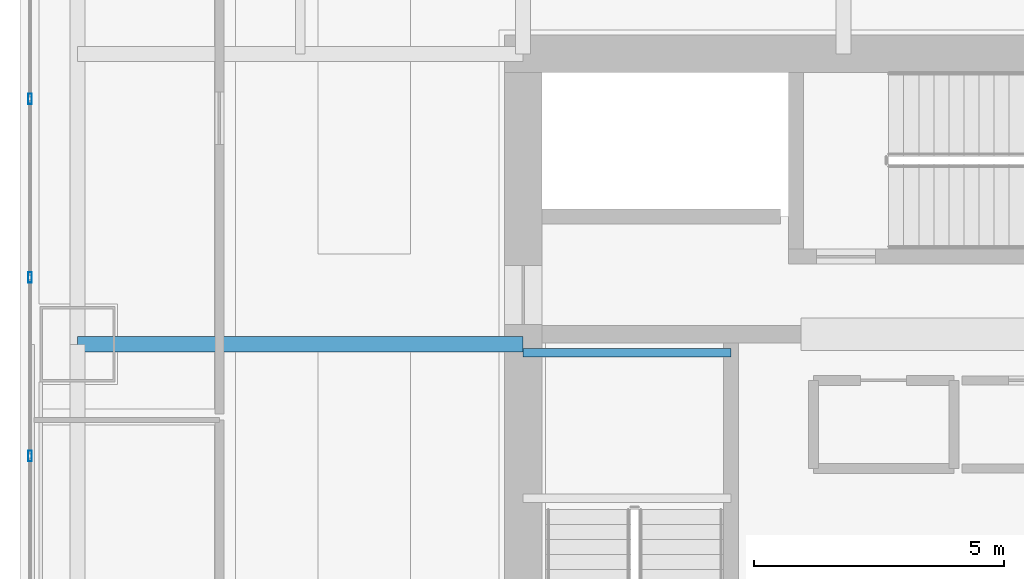
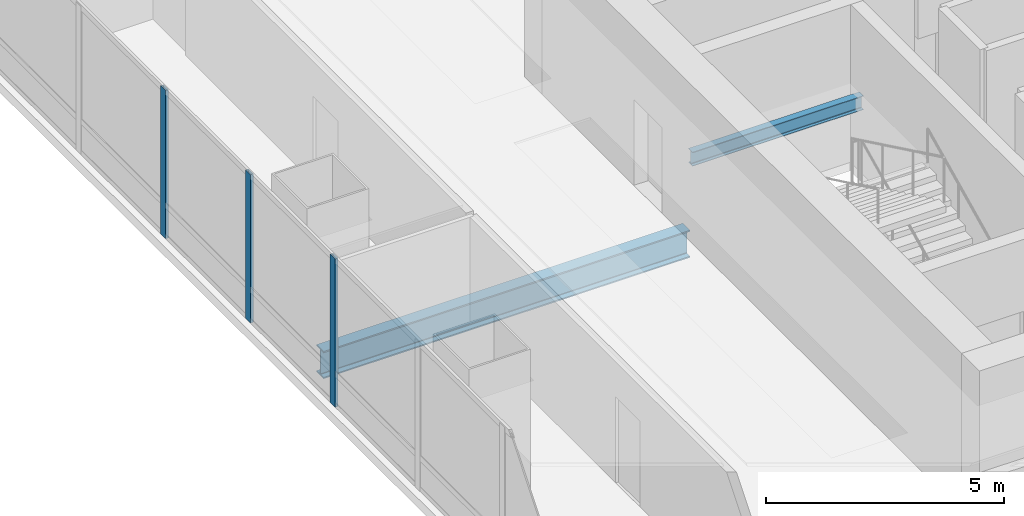
# One storey, part 10 of 34: 3 members, 2 beams, 1 element without a shape of its own.
"""IFC4 building model written with IfcOpenShell, lengths in metres."""

import ifcopenshell
import ifcopenshell.guid

model = None  # the IFC model being written
_history = None  # IfcOwnerHistory: only IFC2X3 demands one
_inside = {}  # id of a spatial element -> (the spatial element, [elements in it])
_under = {}  # id of a project, library or spatial element -> (it, [spatial elements below it])
_declared = {}  # id of a project -> (the project, [libraries it declares])
_typed = {}  # id of a type object -> (the type object, [elements of that type])
_made_of = {}  # id of a material, layer set ... -> (it, [elements and type objects made of it])


def new_model(schema):
    """Start an empty IFC model of exactly this schema.

    Asked for "IFC4X3", IfcOpenShell would pick the latest addendum, in which some entities
    have other attributes; the version numbers below select the first issue.
    IFC2X3 requires an IfcOwnerHistory on every rooted entity: one is made here for all.
    """
    global model, _history
    if schema == "IFC4X3":
        model = ifcopenshell.file(schema_version=(4, 3, 0, 0))
    else:
        model = ifcopenshell.file(schema=schema)
    _inside.clear()
    _under.clear()
    _declared.clear()
    _typed.clear()
    _made_of.clear()
    _history = None
    if model.schema == "IFC2X3":
        org = make("IfcOrganization", Name="unknown")
        user = make(
            "IfcPersonAndOrganization",
            ThePerson=make("IfcPerson", FamilyName="unknown"),
            TheOrganization=org,
        )
        app = make(
            "IfcApplication",
            ApplicationDeveloper=org,
            Version="unknown",
            ApplicationFullName="unknown",
            ApplicationIdentifier="unknown",
        )
        _history = make(
            "IfcOwnerHistory",
            OwningUser=user,
            OwningApplication=app,
            ChangeAction="ADDED",
            CreationDate=0,
        )
    return model


def make(cls, **values):
    """One entity of the class cls with the attributes given. An attribute that is None is left unset."""
    return model.create_entity(
        cls, **{name: value for name, value in values.items() if value is not None}
    )


def rooted(cls, **values):
    """An entity with a GlobalId (a new one), such as an element, a storey or a relation."""
    return make(cls, GlobalId=ifcopenshell.guid.new(), OwnerHistory=_history, **values)


def si_unit(unit_type, name, prefix=None):
    """IfcSIUnit, for example si_unit("LENGTHUNIT", "METRE", prefix="MILLI")."""
    return make("IfcSIUnit", UnitType=unit_type, Prefix=prefix, Name=name)


def assignment(units):
    """IfcUnitAssignment: the units of a project."""
    return None if units is None else make("IfcUnitAssignment", Units=units)


def point(xyz):
    """IfcCartesianPoint."""
    return None if xyz is None else make("IfcCartesianPoint", Coordinates=xyz)


def direction(xyz):
    """IfcDirection."""
    return None if xyz is None else make("IfcDirection", DirectionRatios=xyz)


def frame(location, z_axis=None, x_axis=None):
    """IfcAxis2Placement3D, a coordinate frame: its origin and axes. An axis left out is left unset."""
    return make(
        "IfcAxis2Placement3D",
        Location=point(location),
        Axis=direction(z_axis),
        RefDirection=direction(x_axis),
    )


def frame_2d(location, x_axis=None):
    """IfcAxis2Placement2D, a coordinate frame in the plane: its origin and x axis."""
    return make(
        "IfcAxis2Placement2D", Location=point(location), RefDirection=direction(x_axis)
    )


def origin():
    """The frame at (0, 0, 0) with its axes left unset."""
    return frame((0.0, 0.0, 0.0))


def origin_2d():
    """The frame at (0, 0) in the plane with its x axis left unset."""
    return frame_2d((0.0, 0.0))


def place(relative_to, where):
    """IfcLocalPlacement: puts the frame where relative to a parent placement (None: the world)."""
    return make(
        "IfcLocalPlacement", PlacementRelTo=relative_to, RelativePlacement=where
    )


def context(
    kind, dimensions, precision=None, world=None, true_north=None, identifier=None
):
    """IfcGeometricRepresentationContext, for example the 3D "Model" context."""
    return make(
        "IfcGeometricRepresentationContext",
        ContextIdentifier=identifier,
        ContextType=kind,
        CoordinateSpaceDimension=dimensions,
        Precision=precision,
        WorldCoordinateSystem=world,
        TrueNorth=true_north,
    )


def subcontext(parent, identifier, kind, view, scale=None):
    """IfcGeometricRepresentationSubContext, for example "Body" below "Model"."""
    return make(
        "IfcGeometricRepresentationSubContext",
        ContextIdentifier=identifier,
        ContextType=kind,
        ParentContext=parent,
        TargetScale=scale,
        TargetView=view,
    )


def project(units=None, contexts=None):
    """IfcProject with its units and contexts."""
    return rooted(
        "IfcProject",
        Name="project",
        RepresentationContexts=contexts,
        UnitsInContext=assignment(units),
    )


def spatial(cls, under=None, at=None, **own):
    """A site, building, storey or space (cls), placed at a placement, below another one or the project."""
    s = rooted(cls, ObjectPlacement=at, **own)
    if under is not None:
        _under.setdefault(under.id(), (under, []))[1].append(s)
    return s


def profile(cls, at=None, kind="AREA", **sizes):
    """A parametric profile (cls). Its sizes go by their IFC names, for example OverallWidth=200.0."""
    return make(cls, ProfileType=kind, Position=at, **sizes)


def hollow_rectangle(**sizes):
    """IfcRectangleHollowProfileDef."""
    return profile("IfcRectangleHollowProfileDef", **sizes)


def i_section(**sizes):
    """IfcIShapeProfileDef."""
    return profile("IfcIShapeProfileDef", **sizes)


def extrude(swept, where, along, depth):
    """IfcExtrudedAreaSolid: the profile swept, set in the frame where, extruded along a direction by depth."""
    return make(
        "IfcExtrudedAreaSolid",
        SweptArea=swept,
        Position=where,
        ExtrudedDirection=direction(along),
        Depth=depth,
    )


def shape(context_of_items, identifier, shape_type, items):
    """IfcShapeRepresentation: the items that make up one representation, for example the "Body"."""
    return make(
        "IfcShapeRepresentation",
        ContextOfItems=context_of_items,
        RepresentationIdentifier=identifier,
        RepresentationType=shape_type,
        Items=items,
    )


def material(Name=None, Category=None):
    """IfcMaterial."""
    return make("IfcMaterial", Name=Name, Category=Category)


def material_profile(
    of_material, cross_section, Name=None, Category=None, Priority=None
):
    """IfcMaterialProfile: a cross section and its material."""
    return make(
        "IfcMaterialProfile",
        Name=Name,
        Material=of_material,
        Profile=cross_section,
        Priority=Priority,
        Category=Category,
    )


def profile_set(profiles, Name=None, composite=None):
    """IfcMaterialProfileSet."""
    return make(
        "IfcMaterialProfileSet",
        Name=Name,
        MaterialProfiles=profiles,
        CompositeProfile=composite,
    )


def made_of(thing, what):
    """Note that an element or type object is made of a material, layer set ...; save() writes the relation."""
    if what is not None:
        _made_of.setdefault(what.id(), (what, []))[1].append(thing)
    return thing


def type_object(cls, material=None, **own):
    """A type object (cls), such as IfcWallType, which elements share."""
    return made_of(rooted(cls, **own), material)


def element(
    cls,
    number,
    at=None,
    inside=None,
    cuts=None,
    type_object=None,
    material=None,
    context=None,
    identifier="Body",
    shape_type=None,
    held_by="IfcProductDefinitionShape",
    body=None,
    shapes=None,
    **own,
):
    """One element of the class cls, such as IfcWall. Its Tag is "e" and its number.

    at: its placement. inside: the storey or other place that contains it. cuts: it is an
    opening in that element (IfcRelVoidsElement). A single representation is given by context,
    identifier, shape_type and body (its items); several are given by shapes. held_by: the class
    of the entity that holds the representations. save() writes the other relations.
    """
    e = rooted(cls, Tag="e%d" % number, ObjectPlacement=at, **own)
    if body is not None:
        shapes = [shape(context, identifier, shape_type, body)]
    if shapes is not None:
        e.Representation = make(held_by, Representations=shapes)
    if inside is not None:
        _inside.setdefault(inside.id(), (inside, []))[1].append(e)
    if cuts is not None:
        rooted(
            "IfcRelVoidsElement", RelatingBuildingElement=cuts, RelatedOpeningElement=e
        )
    if type_object is not None:
        _typed.setdefault(type_object.id(), (type_object, []))[1].append(e)
    return made_of(e, material)


def aggregate(whole, parts):
    """IfcRelAggregates: a whole, such as a stair, and the parts it consists of."""
    return rooted("IfcRelAggregates", RelatingObject=whole, RelatedObjects=parts)


def save(model, path):
    """Write the relations noted so far, then the file.

    IfcRelAggregates (storeys below a building ...), IfcRelContainedInSpatialStructure (elements
    in a storey), IfcRelDefinesByType, IfcRelAssociatesMaterial and IfcRelDeclares: one each for
    every whole, place, type object, material and project.
    """
    for whole, parts in _under.values():
        aggregate(whole, parts)
    for where, things in _inside.values():
        rooted(
            "IfcRelContainedInSpatialStructure",
            RelatedElements=things,
            RelatingStructure=where,
        )
    for kind, things in _typed.values():
        rooted("IfcRelDefinesByType", RelatedObjects=things, RelatingType=kind)
    for what, things in _made_of.values():
        rooted("IfcRelAssociatesMaterial", RelatedObjects=things, RelatingMaterial=what)
    for by, libraries in _declared.values():
        rooted("IfcRelDeclares", RelatingContext=by, RelatedDefinitions=libraries)
    model.write(path)


model = new_model("IFC4")

# Units and contexts
model_context = context("Model", 3, precision=1e-05, world=origin(), true_north=direction((0.0, 1.0)))
body_context = subcontext(model_context, "Body", "Model", "MODEL_VIEW")
ifc_project = project(units=[si_unit("LENGTHUNIT", "METRE"), si_unit("AREAUNIT", "SQUARE_METRE"), si_unit("VOLUMEUNIT", "CUBIC_METRE"), si_unit("PLANEANGLEUNIT", "RADIAN"), si_unit("MASSUNIT", "GRAM", prefix="KILO")], contexts=[model_context])

# Site, building, storey
site_placement = place(None, origin())
site = spatial("IfcSite", under=ifc_project, at=site_placement, CompositionType="ELEMENT")
building_placement = place(site_placement, origin())
building = spatial("IfcBuilding", under=site, at=building_placement, Name="Punatoya Terracotta Tower", CompositionType="ELEMENT")
storey_placement = place(building_placement, frame((0.0, 0.0, 80.85009765625)))
storey = spatial("IfcBuildingStorey", under=building, at=storey_placement, Name="L18", CompositionType="ELEMENT", Elevation=80.85009765625)

# Beams
ifc_material_1 = material(Name="Steel S355", Category="steel")
ifc_material_profile_1 = material_profile(ifc_material_1, i_section(OverallWidth=0.300048828125, OverallDepth=0.699951171875, WebThickness=0.01708984375, FlangeThickness=0.031982421875, FilletRadius=0.01806640625, at=origin_2d()))
ifc_profile_set_1 = profile_set([ifc_material_profile_1], Name="Steel S355")
beam_type_1 = type_object("IfcBeamType", Name="BM-PRI-700", PredefinedType="BEAM", material=ifc_profile_set_1)
beam_1_placement = place(storey_placement, frame((-19.10009765625, 3.39990234375, -0.590087890625), z_axis=(1.0, 0.0, 0.0), x_axis=(0.0, 1.0, 0.0)))
element("IfcBeam", 1, at=beam_1_placement, inside=storey, type_object=beam_type_1, Name="BM-L18-PR-WE", PredefinedType="BEAM", context=body_context, shape_type="SweptSolid", body=[
    extrude(i_section(OverallWidth=0.300048828125, OverallDepth=0.699951171875, WebThickness=0.01708984375, FlangeThickness=0.031982421875, FilletRadius=0.01806640625, at=origin_2d()), origin(), (0.0, 0.0, 1.0), 8.900146484375),
])
ifc_material_profile_2 = material_profile(ifc_material_1, i_section(OverallWidth=0.169921875, OverallDepth=0.360107421875, WebThickness=0.008056640625, FlangeThickness=0.0126953125, FilletRadius=0.01806640625, at=origin_2d()))
ifc_profile_set_2 = profile_set([ifc_material_profile_2], Name="Steel S355")
beam_type_2 = type_object("IfcBeamType", Name="BM-SEC-360", PredefinedType="JOIST", material=ifc_profile_set_2)
beam_2_placement = place(storey_placement, frame((-10.199951171875, 3.22998046875, 1.64501953125), z_axis=(1.0, 0.0, 0.0), x_axis=(0.0, 1.0, 0.0)))
element("IfcBeam", 2, at=beam_2_placement, inside=storey, type_object=beam_type_2, Name="BM-L18-ST-1-LD1B", PredefinedType="JOIST", context=body_context, shape_type="SweptSolid", body=[
    extrude(i_section(OverallWidth=0.169921875, OverallDepth=0.360107421875, WebThickness=0.008056640625, FlangeThickness=0.0126953125, FilletRadius=0.01806640625, at=origin_2d()), origin(), (0.0, 0.0, 1.0), 4.14990234375),
])

# Curtain wall, members
ifc_material_2 = material(Name="Aluminium 6063-T6 + Double Low-E Glass", Category="aluminium")
curtain_wall_type = type_object("IfcCurtainWallType", Name="CW-M1", PredefinedType="NOTDEFINED", material=ifc_material_2)
curtain_wall_placement = place(storey_placement, origin())
curtain_wall = element("IfcCurtainWall", 3, at=curtain_wall_placement, inside=storey, type_object=curtain_wall_type, Name="L18 Curtain Wall CW-L18-W13-1", PredefinedType="NOTDEFINED")
ifc_material_3 = material(Name="Aluminium 6063-T6", Category="aluminium")
ifc_material_profile_3 = material_profile(ifc_material_3, hollow_rectangle(XDim=0.074951171875, YDim=0.2099609375, WallThickness=0.00439453125, at=origin_2d()))
ifc_profile_set_3 = profile_set([ifc_material_profile_3], Name="Aluminium 6063-T6")
member_type = type_object("IfcMemberType", Name="CW-MUL-M1", PredefinedType="MULLION", material=ifc_profile_set_3)
member_1_placement = place(storey_placement, frame((-20.050048828125, 8.302001953125, 0.0), z_axis=(0.0, 0.0, 1.0), x_axis=(1.0, 0.0, 0.0)))
member_1 = element("IfcMember", 4, at=member_1_placement, type_object=member_type, Name="CW-L18-W13-1 Mullion 02", PredefinedType="MULLION", context=body_context, shape_type="SweptSolid", body=[
    extrude(hollow_rectangle(XDim=0.074951171875, YDim=0.2099609375, WallThickness=0.00439453125, at=origin_2d()), origin(), (0.0, 0.0, 1.0), 3.809814453125),
])
member_2_placement = place(storey_placement, frame((-20.050048828125, 4.73486328125, 0.0), z_axis=(0.0, 0.0, 1.0), x_axis=(1.0, 0.0, 0.0)))
member_2 = element("IfcMember", 5, at=member_2_placement, type_object=member_type, Name="CW-L18-W13-1 Mullion 03", PredefinedType="MULLION", context=body_context, shape_type="SweptSolid", body=[
    extrude(hollow_rectangle(XDim=0.074951171875, YDim=0.2099609375, WallThickness=0.00439453125, at=origin_2d()), origin(), (0.0, 0.0, 1.0), 3.809814453125),
])
member_3_placement = place(storey_placement, frame((-20.050048828125, 1.16748046875, 0.0), z_axis=(0.0, 0.0, 1.0), x_axis=(1.0, 0.0, 0.0)))
member_3 = element("IfcMember", 6, at=member_3_placement, type_object=member_type, Name="CW-L18-W13-1 Mullion 04", PredefinedType="MULLION", context=body_context, shape_type="SweptSolid", body=[
    extrude(hollow_rectangle(XDim=0.074951171875, YDim=0.2099609375, WallThickness=0.00439453125, at=origin_2d()), origin(), (0.0, 0.0, 1.0), 3.809814453125),
])
aggregate(curtain_wall, [member_1, member_2, member_3])

save(model, "model.ifc")
